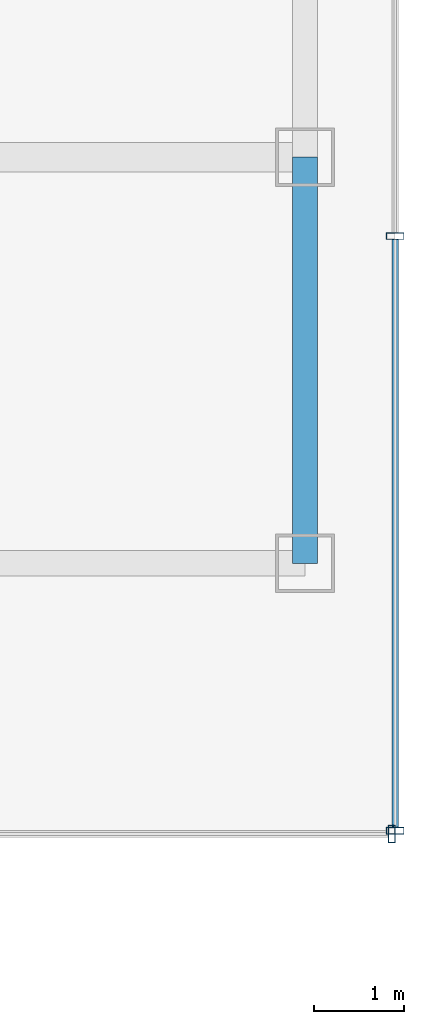
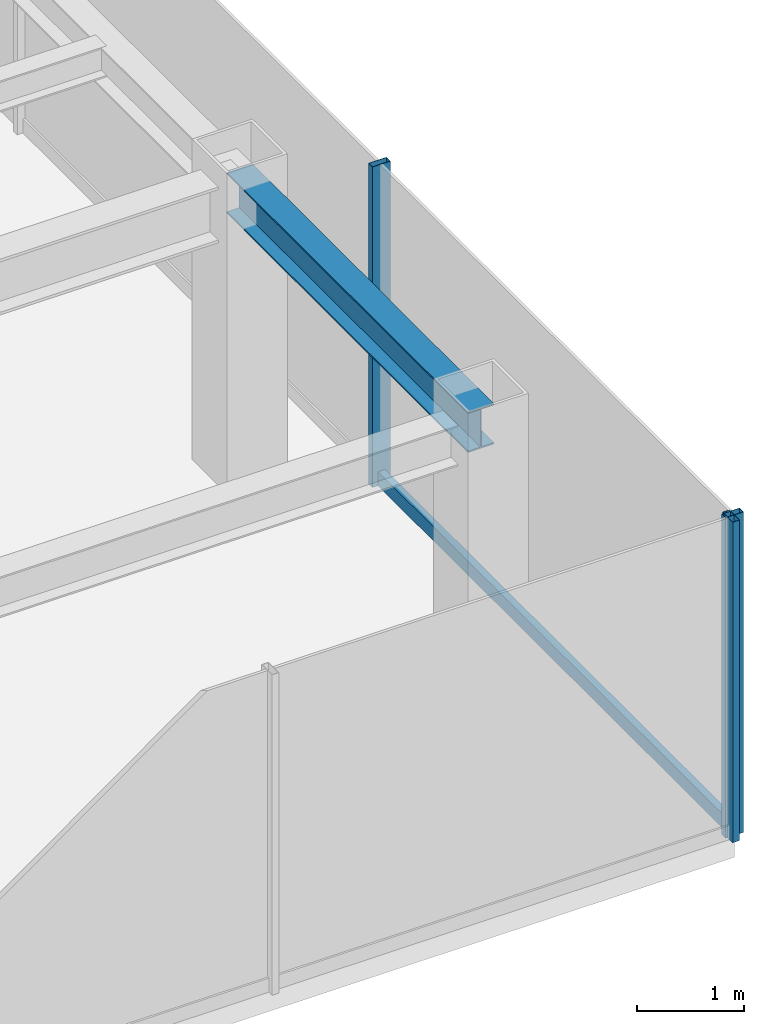
# One storey, part 11 of 25: 4 members, 1 beam, 2 elements without a shape of their own.
"""IFC4 building model written with IfcOpenShell, lengths in metres."""

from ifc_helpers import new_model, si_unit, derived_unit, direction, frame, origin, origin_2d, place, context, subcontext, project, spatial, hollow_rectangle, i_section, extrude, source, transform, mapped, material, material_profile, profile_set, type_object, element, aggregate, save


model = new_model("IFC4")

# Units and contexts
model_context = context("Model", 3, precision=1e-05, world=origin(), true_north=direction((0.0, 1.0)))
body_context = subcontext(model_context, "Body", "Model", "MODEL_VIEW")
ifc_project = project(units=[si_unit("LENGTHUNIT", "METRE"), si_unit("AREAUNIT", "SQUARE_METRE"), si_unit("VOLUMEUNIT", "CUBIC_METRE"), si_unit("PLANEANGLEUNIT", "RADIAN"), si_unit("MASSUNIT", "GRAM", prefix="KILO"), derived_unit("THERMALTRANSMITTANCEUNIT", [(si_unit("POWERUNIT", "WATT"), 1), (si_unit("LENGTHUNIT", "METRE"), -2), (si_unit("THERMODYNAMICTEMPERATUREUNIT", "KELVIN"), -1)])], contexts=[model_context])

# Site, building, storey
site_placement = place(None, origin())
site = spatial("IfcSite", under=ifc_project, at=site_placement, CompositionType="ELEMENT")
building_placement = place(site_placement, origin())
building = spatial("IfcBuilding", under=site, at=building_placement, Name="Skarnbrae Concourse Arena and Tower", CompositionType="ELEMENT")
storey_placement = place(building_placement, frame((0.0, 0.0, 162.5)))
storey = spatial("IfcBuildingStorey", under=building, at=storey_placement, Name="L41", CompositionType="ELEMENT", Elevation=162.5)

# Beam
ifc_material_1 = material(Name="Steel CSA G40.21 350W", Category="steel")
ifc_material_profile_1 = material_profile(ifc_material_1, i_section(OverallWidth=0.280029296875, OverallDepth=0.462890625, WebThickness=0.0107421875, FlangeThickness=0.017333984375, at=origin_2d()), Name="W460X113")
ifc_profile_set_1 = profile_set([ifc_material_profile_1], Name="Steel CSA G40.21 350W")
beam_type = type_object("IfcBeamType", Name="BM-SPAN-W460X113", PredefinedType="SPANDREL", material=ifc_profile_set_1)
shared_shape_1 = source(origin(), body_context, "Body", "SweptSolid", [
    extrude(i_section(OverallWidth=0.280029296875, OverallDepth=0.462890625, WebThickness=0.0107421875, FlangeThickness=0.017333984375, at=origin_2d()), origin(), (0.0, 0.0, 1.0), 4.5),
])
beam_placement = place(storey_placement, frame((49.0, 9.5, 3.16845703125), z_axis=(0.0, 1.0, 0.0), x_axis=(-1.0, 0.0, 0.0)))
element("IfcBeam", 1, at=beam_placement, inside=storey, type_object=beam_type, Name="L41 Perimeter spandrel X49.0-1", PredefinedType="SPANDREL", context=body_context, shape_type="MappedRepresentation", body=[
    mapped(shared_shape_1, transform((0.0, 0.0, 0.0))),
])

# Curtain wall, member
ifc_material_2 = material(Name="Bronze anodised aluminium 6063-T6", Category="aluminium")
curtain_wall_type = type_object("IfcCurtainWallType", Name="CW-SYS-04-MIDZONE", PredefinedType="USERDEFINED", material=ifc_material_2)
curtain_wall_1_placement = place(storey_placement, origin())
curtain_wall_1 = element("IfcCurtainWall", 2, at=curtain_wall_1_placement, inside=storey, type_object=curtain_wall_type, Name="L41 Unitised curtain wall CW-L41-E03", ObjectType="UNITISED CURTAIN WALL", PredefinedType="USERDEFINED")
ifc_material_profile_2 = material_profile(ifc_material_2, hollow_rectangle(XDim=0.074951171875, YDim=0.195068359375, WallThickness=0.00439453125, at=origin_2d()), Name="ALU-MULL-75X195")
ifc_profile_set_2 = profile_set([ifc_material_profile_2], Name="Bronze anodised aluminium 6063-T6")
member_type_1 = type_object("IfcMemberType", Name="CWM-CW-04", PredefinedType="MULLION", material=ifc_profile_set_2)
shared_shape_2 = source(origin(), body_context, "Body", "SweptSolid", [
    extrude(hollow_rectangle(XDim=0.074951171875, YDim=0.195068359375, WallThickness=0.00439453125, at=origin_2d()), origin(), (0.0, 0.0, 1.0), 3.64990234375),
])
member_1_placement = place(storey_placement, frame((49.96240234375, 6.5, 0.0), z_axis=(0.0, 0.0, 1.0), x_axis=(1.0, 0.0, 0.0)))
member_1 = element("IfcMember", 3, at=member_1_placement, type_object=member_type_1, Name="CW-L41-E03 Mullion 3", PredefinedType="MULLION", context=body_context, shape_type="MappedRepresentation", body=[
    mapped(shared_shape_2, transform((0.0, 0.0, 0.0))),
])
aggregate(curtain_wall_1, [member_1])

# Curtain wall, members
curtain_wall_2_placement = place(storey_placement, origin())
curtain_wall_2 = element("IfcCurtainWall", 4, at=curtain_wall_2_placement, inside=storey, type_object=curtain_wall_type, Name="L41 Unitised curtain wall CW-L41-E04", ObjectType="UNITISED CURTAIN WALL", PredefinedType="USERDEFINED")
member_2_placement = place(storey_placement, frame((50.0, 6.53759765625, 0.0), z_axis=(0.0, 0.0, 1.0), x_axis=(0.0, 1.0, 0.0)))
member_2 = element("IfcMember", 5, at=member_2_placement, type_object=member_type_1, Name="CW-L41-E04 Mullion 1", PredefinedType="MULLION", context=body_context, shape_type="MappedRepresentation", body=[
    mapped(shared_shape_2, transform((0.0, 0.0, 0.0))),
])
member_3_placement = place(storey_placement, frame((50.0, 13.125, 0.0), z_axis=(0.0, 0.0, 1.0), x_axis=(0.0, 1.0, 0.0)))
member_3 = element("IfcMember", 6, at=member_3_placement, type_object=member_type_1, Name="CW-L41-E04 Mullion 2", PredefinedType="MULLION", context=body_context, shape_type="MappedRepresentation", body=[
    mapped(shared_shape_2, transform((0.0, 0.0, 0.0))),
])
ifc_material_profile_3 = material_profile(ifc_material_2, hollow_rectangle(XDim=0.074951171875, YDim=0.159912109375, WallThickness=0.00439453125, at=origin_2d()), Name="ALU-TRAN-75X160")
ifc_profile_set_3 = profile_set([ifc_material_profile_3], Name="Bronze anodised aluminium 6063-T6")
member_type_2 = type_object("IfcMemberType", Name="CWT-CW-04", PredefinedType="USERDEFINED", material=ifc_profile_set_3)
shared_shape_3 = source(origin(), body_context, "Body", "SweptSolid", [
    extrude(hollow_rectangle(XDim=0.074951171875, YDim=0.159912109375, WallThickness=0.00439453125, at=origin_2d()), origin(), (0.0, 0.0, 1.0), 6.512451171875),
])
member_4_placement = place(storey_placement, frame((50.0, 6.574951171875, 0.080078125), z_axis=(0.0, 1.0, 0.0), x_axis=(-1.0, 0.0, 0.0)))
member_4 = element("IfcMember", 7, at=member_4_placement, type_object=member_type_2, Name="CW-L41-E04 Transom 1", ObjectType="TRANSOM", PredefinedType="USERDEFINED", context=body_context, shape_type="MappedRepresentation", body=[
    mapped(shared_shape_3, transform((0.0, 0.0, 0.0))),
])
aggregate(curtain_wall_2, [member_2, member_3, member_4])

save(model, "model.ifc")
